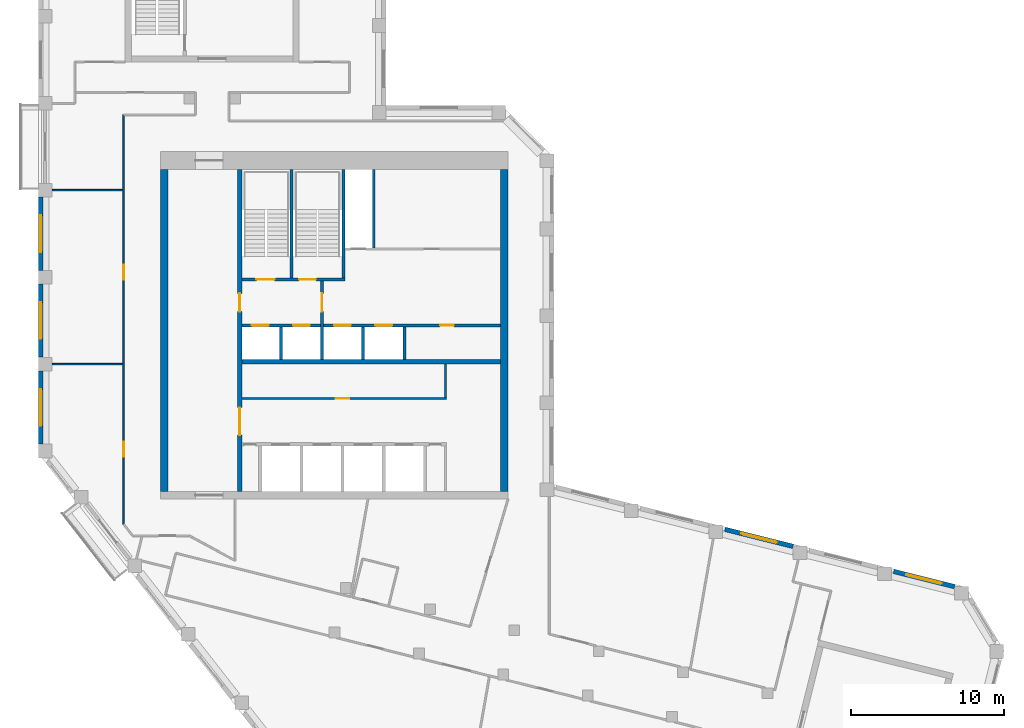
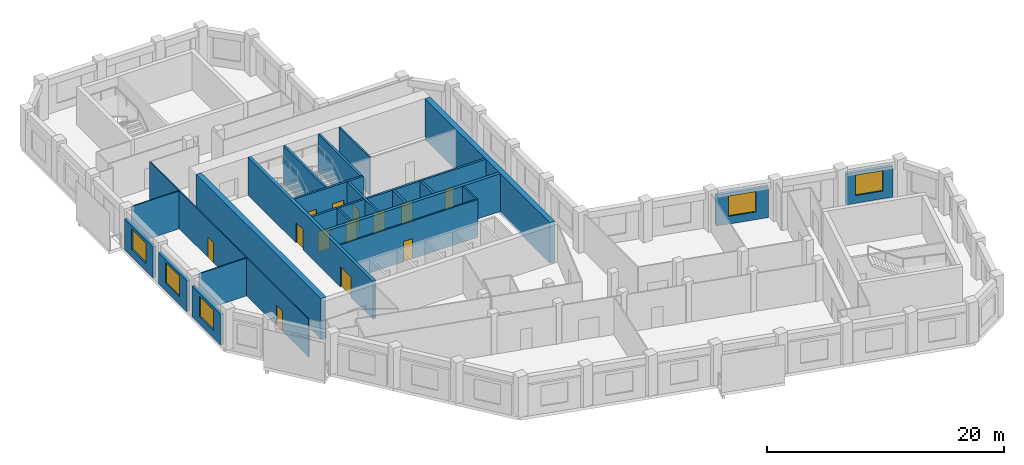
# One storey, part 5 of 8: 23 walls, 13 doors, 5 windows, 18 openings.
"""IFC4 building model written with IfcOpenShell, lengths in metres."""

from ifc_helpers import new_model, si_unit, direction, frame, frame_2d, origin, place, context, subcontext, project, spatial, rectangle, extrude, material, layer, layer_set, type_object, element, fill, save


model = new_model("IFC4")

# Units and contexts
model_context = context("Model", 3, precision=1e-05, world=origin(), true_north=direction((0.0, 1.0)))
body_context = subcontext(model_context, "Body", "Model", "MODEL_VIEW")
ifc_project = project(units=[si_unit("LENGTHUNIT", "METRE"), si_unit("AREAUNIT", "SQUARE_METRE"), si_unit("VOLUMEUNIT", "CUBIC_METRE"), si_unit("PLANEANGLEUNIT", "RADIAN"), si_unit("MASSUNIT", "GRAM", prefix="KILO")], contexts=[model_context])

# Site, building, storey
site_placement = place(None, origin())
site = spatial("IfcSite", under=ifc_project, at=site_placement, CompositionType="ELEMENT")
building_placement = place(site_placement, origin())
building = spatial("IfcBuilding", under=site, at=building_placement, Name="Meshkara Civic Tower", CompositionType="ELEMENT")
storey_placement = place(building_placement, frame((0.0, 0.0, 379.199951171875)))
storey = spatial("IfcBuildingStorey", under=building, at=storey_placement, Name="L87", CompositionType="ELEMENT", Elevation=379.199951171875)

# Wall, opening, door
ifc_material_1 = material(Name="Blockwork", Category="masonry")
ifc_layer_1 = layer(ifc_material_1, 0.14990234375)
ifc_layer_set_1 = layer_set([ifc_layer_1], Name="Core partition 150")
wall_type_1 = type_object("IfcWallType", Name="Core partition 150", PredefinedType="PARTITIONING", material=ifc_layer_set_1)
wall_1_placement = place(storey_placement, frame((13.35009765625, 20.699951171875, 0.0), z_axis=(0.0, 0.0, 1.0), x_axis=(1.0, 0.0, 0.0)))
wall_1 = element("IfcWall", 1, at=wall_1_placement, inside=storey, type_object=wall_type_1, Name="L87-C006", PredefinedType="PARTITIONING", context=body_context, shape_type="SweptSolid", body=[
    extrude(rectangle(XDim=13.4248046875, YDim=0.14990234375, at=frame_2d((6.71240234375, 0.0))), origin(), (0.0, 0.0, 1.0), 3.900146484375),
])
opening_1_placement = place(wall_1_placement, frame((6.14990234375, 0.0, 0.0)))
opening_1 = element("IfcOpeningElement", 2, at=opening_1_placement, cuts=wall_1, Name="Opening L87-K011", PredefinedType="OPENING", context=body_context, shape_type="SweptSolid", body=[
    extrude(rectangle(XDim=0.89990234375, YDim=2.10009765625, at=frame_2d((0.449951171875, 1.050048828125))), frame((0.0, 0.0849609375, 0.0), z_axis=(0.0, -1.0, 0.0), x_axis=(1.0, 0.0, 0.0)), (0.0, 0.0, 1.0), 0.169921875),
])
ifc_material_2 = material(Name="Timber door leaf in steel frame", Category="steel")
door_type_1 = type_object("IfcDoorType", Name="Core room door 900", OperationType="SINGLE_SWING_LEFT", PredefinedType="DOOR", material=ifc_material_2)
door_1_placement = place(opening_1_placement, origin())
door_1 = element("IfcDoor", 3, at=door_1_placement, inside=storey, type_object=door_type_1, Name="L87-K011", OperationType="SINGLE_SWING_RIGHT", OverallHeight=2.10009765625, OverallWidth=0.89990234375, PredefinedType="DOOR", context=body_context, shape_type="SweptSolid", body=[
    extrude(rectangle(XDim=0.89990234375, YDim=2.10009765625, at=frame_2d((0.449951171875, 1.050048828125))), frame((0.0, 0.02490234375, 0.0), z_axis=(0.0, -1.0, 0.0), x_axis=(1.0, 0.0, 0.0)), (0.0, 0.0, 1.0), 0.050048828125),
])
fill(opening_1, door_1)

# Walls
wall_2_placement = place(storey_placement, frame((22.0, 30.574951171875, 0.0), z_axis=(0.0, 0.0, 1.0), x_axis=(0.0, 1.0, 0.0)))
element("IfcWall", 4, at=wall_2_placement, inside=storey, type_object=wall_type_1, Name="L87-C020", PredefinedType="PARTITIONING", context=body_context, shape_type="SweptSolid", body=[
    extrude(rectangle(XDim=5.125, YDim=0.14990234375, at=frame_2d((2.5625, 0.0))), origin(), (0.0, 0.0, 1.0), 3.900146484375),
])
wall_3_placement = place(storey_placement, frame((26.699951171875, 20.77490234375, 0.0), z_axis=(0.0, 0.0, 1.0), x_axis=(0.0, 1.0, 0.0)))
element("IfcWall", 5, at=wall_3_placement, inside=storey, type_object=wall_type_1, Name="L87-C025", PredefinedType="PARTITIONING", context=body_context, shape_type="SweptSolid", body=[
    extrude(rectangle(XDim=2.175048828125, YDim=0.14990234375, at=frame_2d((1.08740234375, 0.0))), origin(), (0.0, 0.0, 1.0), 3.900146484375),
])
ifc_material_3 = material(Name="Concrete C50", Category="concrete")
ifc_layer_2 = layer(ifc_material_3, 0.5)
ifc_layer_set_2 = layer_set([ifc_layer_2], Name="Core ring wall 500 C50")
wall_type_2 = type_object("IfcWallType", Name="Core ring wall 500 C50", PredefinedType="SHEAR", material=ifc_layer_set_2)
for number, where, z_axis, x_axis, name in (
    (6, (8.25, 14.60009765625, -0.300048828125), (0.0, 0.0, 1.0), (0.0, 1.0, 0.0), "L87-C003"),
    (7, (30.550048828125, 14.60009765625, -0.300048828125), (0.0, 0.0, 1.0), (0.0, 1.0, 0.0), "L87-C004"),
):
    element("IfcWall", number, at=place(storey_placement, frame(where, z_axis=z_axis, x_axis=x_axis)), inside=storey, type_object=wall_type_2, Name=name, PredefinedType="SHEAR", context=body_context, shape_type="SweptSolid", body=[
        extrude(rectangle(XDim=21.099853515625, YDim=0.5, at=frame_2d((10.5498046875, 0.0))), origin(), (0.0, 0.0, 1.0), 4.2001953125),
    ])
ifc_material_4 = material(Name="Concrete C50", Category="concrete")
ifc_layer_3 = layer(ifc_material_4, 0.300048828125)
ifc_layer_set_3 = layer_set([ifc_layer_3], Name="Core shear wall 300 C50")
wall_type_3 = type_object("IfcWallType", Name="Core shear wall 300 C50", PredefinedType="SHEAR", material=ifc_layer_set_3)
wall_4_placement = place(storey_placement, frame((13.35009765625, 23.10009765625, 0.0), z_axis=(0.0, 0.0, 1.0), x_axis=(1.0, 0.0, 0.0)))
element("IfcWall", 8, at=wall_4_placement, inside=storey, type_object=wall_type_3, Name="L87-C007", PredefinedType="SHEAR", context=body_context, shape_type="SweptSolid", body=[
    extrude(rectangle(XDim=16.949951171875, YDim=0.300048828125, at=frame_2d((8.47509765625, 0.0))), origin(), (0.0, 0.0, 1.0), 3.900146484375),
])

# Wall, openings, doors
wall_5_placement = place(storey_placement, frame((13.199951171875, 14.60009765625, 0.0), z_axis=(0.0, 0.0, 1.0), x_axis=(0.0, 1.0, 0.0)))
wall_5 = element("IfcWall", 9, at=wall_5_placement, inside=storey, type_object=wall_type_3, Name="L87-C011", PredefinedType="SHEAR", context=body_context, shape_type="SweptSolid", body=[
    extrude(rectangle(XDim=21.099853515625, YDim=0.300048828125, at=frame_2d((10.5498046875, 0.0))), origin(), (0.0, 0.0, 1.0), 3.900146484375),
])
opening_2_placement = place(wall_5_placement, frame((3.699951171875, 0.0, 0.0)))
opening_2 = element("IfcOpeningElement", 10, at=opening_2_placement, cuts=wall_5, Name="Opening L87-K017", PredefinedType="OPENING", context=body_context, shape_type="SweptSolid", body=[
    extrude(rectangle(XDim=1.800048828125, YDim=2.10009765625, at=frame_2d((0.89990234375, 1.050048828125))), frame((0.0, 0.159912109375, 0.0), z_axis=(0.0, -1.0, 0.0), x_axis=(1.0, 0.0, 0.0)), (0.0, 0.0, 1.0), 0.320068359375),
])
opening_3_placement = place(wall_5_placement, frame((11.800048828125, 0.0, 0.0)))
opening_3 = element("IfcOpeningElement", 11, at=opening_3_placement, cuts=wall_5, Name="Opening L87-K018", PredefinedType="OPENING", context=body_context, shape_type="SweptSolid", body=[
    extrude(rectangle(XDim=1.199951171875, YDim=2.10009765625, at=frame_2d((0.60009765625, 1.050048828125))), frame((0.0, 0.159912109375, 0.0), z_axis=(0.0, -1.0, 0.0), x_axis=(1.0, 0.0, 0.0)), (0.0, 0.0, 1.0), 0.320068359375),
])
ifc_material_5 = material(Name="Fire-rated door leaf in steel frame", Category="steel")
door_type_2 = type_object("IfcDoorType", Name="Core double door 1800 EI 60", OperationType="DOUBLE_DOOR_SINGLE_SWING", PredefinedType="DOOR", material=ifc_material_5)
door_2_placement = place(opening_2_placement, origin())
door_2 = element("IfcDoor", 12, at=door_2_placement, inside=storey, type_object=door_type_2, Name="L87-K017", OperationType="DOUBLE_DOOR_SINGLE_SWING", OverallHeight=2.10009765625, OverallWidth=1.800048828125, PredefinedType="DOOR", context=body_context, shape_type="SweptSolid", body=[
    extrude(rectangle(XDim=1.800048828125, YDim=2.10009765625, at=frame_2d((0.89990234375, 1.050048828125))), frame((0.0, 0.02490234375, 0.0), z_axis=(0.0, -1.0, 0.0), x_axis=(1.0, 0.0, 0.0)), (0.0, 0.0, 1.0), 0.050048828125),
])
fill(opening_2, door_2)
ifc_material_6 = material(Name="Fire-rated door leaf in steel frame", Category="steel")
door_type_3 = type_object("IfcDoorType", Name="Fire-fighting lobby door 1200 EI 120", OperationType="SINGLE_SWING_LEFT", PredefinedType="DOOR", material=ifc_material_6)
door_3_placement = place(opening_3_placement, origin())
door_3 = element("IfcDoor", 13, at=door_3_placement, inside=storey, type_object=door_type_3, Name="L87-K018", OperationType="SINGLE_SWING_LEFT", OverallHeight=2.10009765625, OverallWidth=1.199951171875, PredefinedType="DOOR", context=body_context, shape_type="SweptSolid", body=[
    extrude(rectangle(XDim=1.199951171875, YDim=2.10009765625, at=frame_2d((0.60009765625, 1.050048828125))), frame((0.0, 0.02490234375, 0.0), z_axis=(0.0, -1.0, 0.0), x_axis=(1.0, 0.0, 0.0)), (0.0, 0.0, 1.0), 0.050048828125),
])
fill(opening_3, door_3)

ifc_material_7 = material(Name="Corridor wall 100")
ifc_layer_4 = layer(ifc_material_7, 0.10009765625)
ifc_layer_set_4 = layer_set([ifc_layer_4], Name="Corridor wall 100")
wall_type_4 = type_object("IfcWallType", Name="Corridor wall 100", PredefinedType="PARTITIONING", material=ifc_layer_set_4)
wall_6_placement = place(storey_placement, frame((5.60009765625, 39.300048828125, 0.0), z_axis=(0.0, 0.0, 1.0), x_axis=(0.0, -1.0, 0.0)))
wall_6 = element("IfcWall", 14, at=wall_6_placement, inside=storey, type_object=wall_type_4, Name="L87-W004", PredefinedType="PARTITIONING", context=body_context, shape_type="SweptSolid", body=[
    extrude(rectangle(XDim=26.85009765625, YDim=0.10009765625, at=frame_2d((13.425048828125, 0.0))), origin(), (0.0, 0.0, 1.0), 3.900146484375),
])
opening_4_placement = place(wall_6_placement, frame((21.425048828125, 0.0, 0.0)))
opening_4 = element("IfcOpeningElement", 15, at=opening_4_placement, cuts=wall_6, Name="Opening L87-D012", PredefinedType="OPENING", context=body_context, shape_type="SweptSolid", body=[
    extrude(rectangle(XDim=1.0, YDim=2.10009765625, at=frame_2d((0.5, 1.050048828125))), frame((0.0, 0.06005859375, 0.0), z_axis=(0.0, -1.0, 0.0), x_axis=(1.0, 0.0, 0.0)), (0.0, 0.0, 1.0), 0.1201171875),
])
opening_5_placement = place(wall_6_placement, frame((9.824951171875, 0.0, 0.0)))
opening_5 = element("IfcOpeningElement", 16, at=opening_5_placement, cuts=wall_6, Name="Opening L87-D013", PredefinedType="OPENING", context=body_context, shape_type="SweptSolid", body=[
    extrude(rectangle(XDim=1.0, YDim=2.10009765625, at=frame_2d((0.5, 1.050048828125))), frame((0.0, 0.06005859375, 0.0), z_axis=(0.0, -1.0, 0.0), x_axis=(1.0, 0.0, 0.0)), (0.0, 0.0, 1.0), 0.1201171875),
])
ifc_material_8 = material(Name="Door 1000 x 2100")
door_type_4 = type_object("IfcDoorType", Name="Door 1000 x 2100", OperationType="SINGLE_SWING_LEFT", PredefinedType="DOOR", material=ifc_material_8)
door_4_placement = place(opening_4_placement, origin())
door_4 = element("IfcDoor", 17, at=door_4_placement, inside=storey, type_object=door_type_4, Name="L87-D012", OperationType="SINGLE_SWING_LEFT", OverallHeight=2.10009765625, OverallWidth=1.0, PredefinedType="DOOR", context=body_context, shape_type="SweptSolid", body=[
    extrude(rectangle(XDim=1.0, YDim=2.10009765625, at=frame_2d((0.5, 1.050048828125))), frame((0.0, 0.02490234375, 0.0), z_axis=(0.0, -1.0, 0.0), x_axis=(1.0, 0.0, 0.0)), (0.0, 0.0, 1.0), 0.050048828125),
])
fill(opening_4, door_4)
door_5_placement = place(opening_5_placement, origin())
door_5 = element("IfcDoor", 18, at=door_5_placement, inside=storey, type_object=door_type_4, Name="L87-D013", OperationType="SINGLE_SWING_RIGHT", OverallHeight=2.10009765625, OverallWidth=1.0, PredefinedType="DOOR", context=body_context, shape_type="SweptSolid", body=[
    extrude(rectangle(XDim=1.0, YDim=2.10009765625, at=frame_2d((0.5, 1.050048828125))), frame((0.0, 0.02490234375, 0.0), z_axis=(0.0, -1.0, 0.0), x_axis=(1.0, 0.0, 0.0)), (0.0, 0.0, 1.0), 0.050048828125),
])
fill(opening_5, door_5)

# Wall, opening, window
ifc_material_9 = material(Name="Insulated infill panel with bronze anodised aluminium cladding", Category="aluminium")
ifc_layer_5 = layer(ifc_material_9, 0.300048828125)
ifc_layer_set_5 = layer_set([ifc_layer_5], Name="EXTERNAL INFILL WALL 300")
wall_type_5 = type_object("IfcWallType", Name="EXTERNAL INFILL WALL 300", PredefinedType="SOLIDWALL", material=ifc_layer_set_5)
wall_7_placement = place(storey_placement, frame((60.075927734375, 8.364990234375, 0.0), z_axis=(0.0, 0.0, 1.0), x_axis=(-0.970323340708, 0.24181111322, 0.0)))
wall_7 = element("IfcWall", 19, at=wall_7_placement, inside=storey, type_object=wall_type_5, Name="External wall", PredefinedType="SOLIDWALL", context=body_context, shape_type="SweptSolid", body=[
    extrude(rectangle(XDim=4.123291015625, YDim=0.300048828125, at=frame_2d((2.0615234375, 0.0))), origin(), (0.0, 0.0, 1.0), 3.199951171875),
])
opening_6_placement = place(wall_7_placement, frame((0.862060546875, 0.0, 0.800048828125)))
opening_6 = element("IfcOpeningElement", 20, at=opening_6_placement, cuts=wall_7, Name="Opening W7", PredefinedType="OPENING", context=body_context, shape_type="SweptSolid", body=[
    extrude(rectangle(XDim=2.39990234375, YDim=2.10009765625, at=frame_2d((1.199951171875, 1.050048828125))), frame((0.0, 0.159912109375, 0.0), z_axis=(0.0, -1.0, 0.0), x_axis=(1.0, 0.0, 0.0)), (0.0, 0.0, 1.0), 0.320068359375),
])
ifc_material_10 = material(Name="Tinted double glazing", Category="glass")
window_type = type_object("IfcWindowType", Name="WINDOW 2400x2100", PartitioningType="DOUBLE_PANEL_VERTICAL", PredefinedType="WINDOW", material=ifc_material_10)
window_1_placement = place(opening_6_placement, origin())
window_1 = element("IfcWindow", 21, at=window_1_placement, inside=storey, type_object=window_type, Name="Window", OverallHeight=2.10009765625, OverallWidth=2.39990234375, PartitioningType="DOUBLE_PANEL_VERTICAL", PredefinedType="WINDOW", context=body_context, shape_type="SweptSolid", body=[
    extrude(rectangle(XDim=2.39990234375, YDim=2.10009765625, at=frame_2d((1.199951171875, 1.050048828125))), frame((0.0, 0.030029296875, 0.0), z_axis=(0.0, -1.0, 0.0), x_axis=(1.0, 0.0, 0.0)), (0.0, 0.0, 1.0), 0.06005859375),
])
fill(opening_6, window_1)

wall_8_placement = place(storey_placement, frame((49.485107421875, 11.0048828125, 0.0), z_axis=(0.0, 0.0, 1.0), x_axis=(-0.970235897967, 0.242161727563, 0.0)))
wall_8 = element("IfcWall", 22, at=wall_8_placement, inside=storey, type_object=wall_type_5, Name="External wall", PredefinedType="SOLIDWALL", context=body_context, shape_type="SweptSolid", body=[
    extrude(rectangle(XDim=4.609375, YDim=0.300048828125, at=frame_2d((2.3046875, 0.0))), origin(), (0.0, 0.0, 1.0), 3.199951171875),
])
opening_7_placement = place(wall_8_placement, frame((1.10498046875, 0.0, 0.800048828125)))
opening_7 = element("IfcOpeningElement", 23, at=opening_7_placement, cuts=wall_8, Name="Opening W7", PredefinedType="OPENING", context=body_context, shape_type="SweptSolid", body=[
    extrude(rectangle(XDim=2.39990234375, YDim=2.10009765625, at=frame_2d((1.199951171875, 1.050048828125))), frame((0.0, 0.159912109375, 0.0), z_axis=(0.0, -1.0, 0.0), x_axis=(1.0, 0.0, 0.0)), (0.0, 0.0, 1.0), 0.320068359375),
])
window_2_placement = place(opening_7_placement, origin())
window_2 = element("IfcWindow", 24, at=window_2_placement, inside=storey, type_object=window_type, Name="Window", OverallHeight=2.10009765625, OverallWidth=2.39990234375, PartitioningType="DOUBLE_PANEL_VERTICAL", PredefinedType="WINDOW", context=body_context, shape_type="SweptSolid", body=[
    extrude(rectangle(XDim=2.39990234375, YDim=2.10009765625, at=frame_2d((1.199951171875, 1.050048828125))), frame((0.0, 0.030029296875, 0.0), z_axis=(0.0, -1.0, 0.0), x_axis=(1.0, 0.0, 0.0)), (0.0, 0.0, 1.0), 0.06005859375),
])
fill(opening_7, window_2)

wall_9_placement = place(storey_placement, frame((0.14990234375, 33.905029296875, 0.0), z_axis=(0.0, 0.0, 1.0), x_axis=(0.0, -1.0, 0.0)))
wall_9 = element("IfcWall", 25, at=wall_9_placement, inside=storey, type_object=wall_type_5, Name="External wall", PredefinedType="SOLIDWALL", context=body_context, shape_type="SweptSolid", body=[
    extrude(rectangle(XDim=4.800048828125, YDim=0.300048828125, at=frame_2d((2.39990234375, 0.0))), origin(), (0.0, 0.0, 1.0), 3.199951171875),
])
opening_8_placement = place(wall_9_placement, frame((1.199951171875, 0.0, 0.800048828125)))
opening_8 = element("IfcOpeningElement", 26, at=opening_8_placement, cuts=wall_9, Name="Opening W7", PredefinedType="OPENING", context=body_context, shape_type="SweptSolid", body=[
    extrude(rectangle(XDim=2.39990234375, YDim=2.10009765625, at=frame_2d((1.199951171875, 1.050048828125))), frame((0.0, 0.159912109375, 0.0), z_axis=(0.0, -1.0, 0.0), x_axis=(1.0, 0.0, 0.0)), (0.0, 0.0, 1.0), 0.320068359375),
])
window_3_placement = place(opening_8_placement, origin())
window_3 = element("IfcWindow", 27, at=window_3_placement, inside=storey, type_object=window_type, Name="Window", OverallHeight=2.10009765625, OverallWidth=2.39990234375, PartitioningType="DOUBLE_PANEL_VERTICAL", PredefinedType="WINDOW", context=body_context, shape_type="SweptSolid", body=[
    extrude(rectangle(XDim=2.39990234375, YDim=2.10009765625, at=frame_2d((1.199951171875, 1.050048828125))), frame((0.0, 0.030029296875, 0.0), z_axis=(0.0, -1.0, 0.0), x_axis=(1.0, 0.0, 0.0)), (0.0, 0.0, 1.0), 0.06005859375),
])
fill(opening_8, window_3)

wall_10_placement = place(storey_placement, frame((0.14990234375, 28.205078125, 0.0), z_axis=(0.0, 0.0, 1.0), x_axis=(0.0, -1.0, 0.0)))
wall_10 = element("IfcWall", 28, at=wall_10_placement, inside=storey, type_object=wall_type_5, Name="External wall", PredefinedType="SOLIDWALL", context=body_context, shape_type="SweptSolid", body=[
    extrude(rectangle(XDim=4.800048828125, YDim=0.300048828125, at=frame_2d((2.39990234375, 0.0))), origin(), (0.0, 0.0, 1.0), 3.199951171875),
])
opening_9_placement = place(wall_10_placement, frame((1.199951171875, 0.0, 0.800048828125)))
opening_9 = element("IfcOpeningElement", 29, at=opening_9_placement, cuts=wall_10, Name="Opening W7", PredefinedType="OPENING", context=body_context, shape_type="SweptSolid", body=[
    extrude(rectangle(XDim=2.39990234375, YDim=2.10009765625, at=frame_2d((1.199951171875, 1.050048828125))), frame((0.0, 0.159912109375, 0.0), z_axis=(0.0, -1.0, 0.0), x_axis=(1.0, 0.0, 0.0)), (0.0, 0.0, 1.0), 0.320068359375),
])
window_4_placement = place(opening_9_placement, origin())
window_4 = element("IfcWindow", 30, at=window_4_placement, inside=storey, type_object=window_type, Name="Window", OverallHeight=2.10009765625, OverallWidth=2.39990234375, PartitioningType="DOUBLE_PANEL_VERTICAL", PredefinedType="WINDOW", context=body_context, shape_type="SweptSolid", body=[
    extrude(rectangle(XDim=2.39990234375, YDim=2.10009765625, at=frame_2d((1.199951171875, 1.050048828125))), frame((0.0, 0.030029296875, 0.0), z_axis=(0.0, -1.0, 0.0), x_axis=(1.0, 0.0, 0.0)), (0.0, 0.0, 1.0), 0.06005859375),
])
fill(opening_9, window_4)

wall_11_placement = place(storey_placement, frame((0.14990234375, 22.5048828125, 0.0), z_axis=(0.0, 0.0, 1.0), x_axis=(0.0, -1.0, 0.0)))
wall_11 = element("IfcWall", 31, at=wall_11_placement, inside=storey, type_object=wall_type_5, Name="External wall", PredefinedType="SOLIDWALL", context=body_context, shape_type="SweptSolid", body=[
    extrude(rectangle(XDim=4.7998046875, YDim=0.300048828125, at=frame_2d((2.39990234375, 0.0))), origin(), (0.0, 0.0, 1.0), 3.199951171875),
])
opening_10_placement = place(wall_11_placement, frame((1.199951171875, 0.0, 0.800048828125)))
opening_10 = element("IfcOpeningElement", 32, at=opening_10_placement, cuts=wall_11, Name="Opening W7", PredefinedType="OPENING", context=body_context, shape_type="SweptSolid", body=[
    extrude(rectangle(XDim=2.39990234375, YDim=2.10009765625, at=frame_2d((1.199951171875, 1.050048828125))), frame((0.0, 0.159912109375, 0.0), z_axis=(0.0, -1.0, 0.0), x_axis=(1.0, 0.0, 0.0)), (0.0, 0.0, 1.0), 0.320068359375),
])
window_5_placement = place(opening_10_placement, origin())
window_5 = element("IfcWindow", 33, at=window_5_placement, inside=storey, type_object=window_type, Name="Window", OverallHeight=2.10009765625, OverallWidth=2.39990234375, PartitioningType="DOUBLE_PANEL_VERTICAL", PredefinedType="WINDOW", context=body_context, shape_type="SweptSolid", body=[
    extrude(rectangle(XDim=2.39990234375, YDim=2.10009765625, at=frame_2d((1.199951171875, 1.050048828125))), frame((0.0, 0.030029296875, 0.0), z_axis=(0.0, -1.0, 0.0), x_axis=(1.0, 0.0, 0.0)), (0.0, 0.0, 1.0), 0.06005859375),
])
fill(opening_10, window_5)

# Walls
ifc_material_11 = material(Name="Partition 100")
ifc_layer_6 = layer(ifc_material_11, 0.10009765625)
ifc_layer_set_6 = layer_set([ifc_layer_6], Name="Partition 100")
wall_type_6 = type_object("IfcWallType", Name="Partition 100", PredefinedType="PARTITIONING", material=ifc_layer_set_6)
for number, where, z_axis, x_axis, name in (
    (34, (5.550048828125, 22.955078125, 0.0), (0.0, 0.0, 1.0), (-1.0, 0.0, 0.0), "L87-W038"),
    (35, (5.550048828125, 34.35498046875, 0.0), (0.0, 0.0, 1.0), (-1.0, 0.0, 0.0), "L87-W039"),
):
    element("IfcWall", number, at=place(storey_placement, frame(where, z_axis=z_axis, x_axis=x_axis)), inside=storey, type_object=wall_type_6, Name=name, PredefinedType="PARTITIONING", context=body_context, shape_type="SweptSolid", body=[
        extrude(rectangle(XDim=4.650146484375, YDim=0.10009765625, at=frame_2d((2.3251953125, 0.0))), origin(), (0.0, 0.0, 1.0), 3.900146484375),
    ])

# Wall, openings, doors
ifc_material_12 = material(Name="Concrete C40/50", Category="concrete")
ifc_layer_7 = layer(ifc_material_12, 0.199951171875)
ifc_layer_set_7 = layer_set([ifc_layer_7], Name="Shaft wall 200 C40/50")
wall_type_7 = type_object("IfcWallType", Name="Shaft wall 200 C40/50", PredefinedType="SOLIDWALL", material=ifc_layer_set_7)
wall_12_placement = place(storey_placement, frame((13.35009765625, 25.5, 0.0), z_axis=(0.0, 0.0, 1.0), x_axis=(1.0, 0.0, 0.0)))
wall_12 = element("IfcWall", 36, at=wall_12_placement, inside=storey, type_object=wall_type_7, Name="L87-C008", PredefinedType="SOLIDWALL", context=body_context, shape_type="SweptSolid", body=[
    extrude(rectangle(XDim=16.949951171875, YDim=0.199951171875, at=frame_2d((8.47509765625, 0.0))), origin(), (0.0, 0.0, 1.0), 3.900146484375),
])
opening_11_placement = place(wall_12_placement, frame((0.64990234375, 0.0, 0.0)))
opening_11 = element("IfcOpeningElement", 37, at=opening_11_placement, cuts=wall_12, Name="Opening L87-K005", PredefinedType="OPENING", context=body_context, shape_type="SweptSolid", body=[
    extrude(rectangle(XDim=1.10009765625, YDim=2.10009765625, at=frame_2d((0.550048828125, 1.050048828125))), frame((0.0, 0.10986328125, 0.0), z_axis=(0.0, -1.0, 0.0), x_axis=(1.0, 0.0, 0.0)), (0.0, 0.0, 1.0), 0.219970703125),
])
opening_12_placement = place(wall_12_placement, frame((3.35009765625, 0.0, 0.0)))
opening_12 = element("IfcOpeningElement", 38, at=opening_12_placement, cuts=wall_12, Name="Opening L87-K006", PredefinedType="OPENING", context=body_context, shape_type="SweptSolid", body=[
    extrude(rectangle(XDim=1.10009765625, YDim=2.10009765625, at=frame_2d((0.550048828125, 1.050048828125))), frame((0.0, 0.10986328125, 0.0), z_axis=(0.0, -1.0, 0.0), x_axis=(1.0, 0.0, 0.0)), (0.0, 0.0, 1.0), 0.219970703125),
])
opening_13_placement = place(wall_12_placement, frame((6.050048828125, 0.0, 0.0)))
opening_13 = element("IfcOpeningElement", 39, at=opening_13_placement, cuts=wall_12, Name="Opening L87-K007", PredefinedType="OPENING", context=body_context, shape_type="SweptSolid", body=[
    extrude(rectangle(XDim=1.10009765625, YDim=2.10009765625, at=frame_2d((0.550048828125, 1.050048828125))), frame((0.0, 0.10986328125, 0.0), z_axis=(0.0, -1.0, 0.0), x_axis=(1.0, 0.0, 0.0)), (0.0, 0.0, 1.0), 0.219970703125),
])
opening_14_placement = place(wall_12_placement, frame((8.75, 0.0, 0.0)))
opening_14 = element("IfcOpeningElement", 40, at=opening_14_placement, cuts=wall_12, Name="Opening L87-K008", PredefinedType="OPENING", context=body_context, shape_type="SweptSolid", body=[
    extrude(rectangle(XDim=1.10009765625, YDim=2.10009765625, at=frame_2d((0.550048828125, 1.050048828125))), frame((0.0, 0.10986328125, 0.0), z_axis=(0.0, -1.0, 0.0), x_axis=(1.0, 0.0, 0.0)), (0.0, 0.0, 1.0), 0.219970703125),
])
opening_15_placement = place(wall_12_placement, frame((13.0, 0.0, 0.0)))
opening_15 = element("IfcOpeningElement", 41, at=opening_15_placement, cuts=wall_12, Name="Opening L87-K012", PredefinedType="OPENING", context=body_context, shape_type="SweptSolid", body=[
    extrude(rectangle(XDim=0.89990234375, YDim=2.10009765625, at=frame_2d((0.449951171875, 1.050048828125))), frame((0.0, 0.10986328125, 0.0), z_axis=(0.0, -1.0, 0.0), x_axis=(1.0, 0.0, 0.0)), (0.0, 0.0, 1.0), 0.219970703125),
])
door_6_placement = place(opening_15_placement, origin())
door_6 = element("IfcDoor", 42, at=door_6_placement, inside=storey, type_object=door_type_1, Name="L87-K012", OperationType="SINGLE_SWING_LEFT", OverallHeight=2.10009765625, OverallWidth=0.89990234375, PredefinedType="DOOR", context=body_context, shape_type="SweptSolid", body=[
    extrude(rectangle(XDim=0.89990234375, YDim=2.10009765625, at=frame_2d((0.449951171875, 1.050048828125))), frame((0.0, 0.02490234375, 0.0), z_axis=(0.0, -1.0, 0.0), x_axis=(1.0, 0.0, 0.0)), (0.0, 0.0, 1.0), 0.050048828125),
])
fill(opening_15, door_6)
ifc_material_13 = material(Name="Stainless steel landing door", Category="steel")
door_type_5 = type_object("IfcDoorType", Name="Lift landing door 1100", OperationType="SLIDING_TO_LEFT", PredefinedType="DOOR", material=ifc_material_13)
door_7_placement = place(opening_11_placement, origin())
door_7 = element("IfcDoor", 43, at=door_7_placement, inside=storey, type_object=door_type_5, Name="L87-K005", OperationType="SLIDING_TO_LEFT", OverallHeight=2.10009765625, OverallWidth=1.10009765625, PredefinedType="DOOR", context=body_context, shape_type="SweptSolid", body=[
    extrude(rectangle(XDim=1.10009765625, YDim=2.10009765625, at=frame_2d((0.550048828125, 1.050048828125))), frame((0.0, 0.02490234375, 0.0), z_axis=(0.0, -1.0, 0.0), x_axis=(1.0, 0.0, 0.0)), (0.0, 0.0, 1.0), 0.050048828125),
])
fill(opening_11, door_7)
door_8_placement = place(opening_12_placement, origin())
door_8 = element("IfcDoor", 44, at=door_8_placement, inside=storey, type_object=door_type_5, Name="L87-K006", OperationType="SLIDING_TO_LEFT", OverallHeight=2.10009765625, OverallWidth=1.10009765625, PredefinedType="DOOR", context=body_context, shape_type="SweptSolid", body=[
    extrude(rectangle(XDim=1.10009765625, YDim=2.10009765625, at=frame_2d((0.550048828125, 1.050048828125))), frame((0.0, 0.02490234375, 0.0), z_axis=(0.0, -1.0, 0.0), x_axis=(1.0, 0.0, 0.0)), (0.0, 0.0, 1.0), 0.050048828125),
])
fill(opening_12, door_8)
door_9_placement = place(opening_13_placement, origin())
door_9 = element("IfcDoor", 45, at=door_9_placement, inside=storey, type_object=door_type_5, Name="L87-K007", OperationType="SLIDING_TO_LEFT", OverallHeight=2.10009765625, OverallWidth=1.10009765625, PredefinedType="DOOR", context=body_context, shape_type="SweptSolid", body=[
    extrude(rectangle(XDim=1.10009765625, YDim=2.10009765625, at=frame_2d((0.550048828125, 1.050048828125))), frame((0.0, 0.02490234375, 0.0), z_axis=(0.0, -1.0, 0.0), x_axis=(1.0, 0.0, 0.0)), (0.0, 0.0, 1.0), 0.050048828125),
])
fill(opening_13, door_9)
door_10_placement = place(opening_14_placement, origin())
door_10 = element("IfcDoor", 46, at=door_10_placement, inside=storey, type_object=door_type_5, Name="L87-K008", OperationType="SLIDING_TO_LEFT", OverallHeight=2.10009765625, OverallWidth=1.10009765625, PredefinedType="DOOR", context=body_context, shape_type="SweptSolid", body=[
    extrude(rectangle(XDim=1.10009765625, YDim=2.10009765625, at=frame_2d((0.550048828125, 1.050048828125))), frame((0.0, 0.02490234375, 0.0), z_axis=(0.0, -1.0, 0.0), x_axis=(1.0, 0.0, 0.0)), (0.0, 0.0, 1.0), 0.050048828125),
])
fill(opening_14, door_10)

# Wall
wall_13_placement = place(storey_placement, frame((15.89990234375, 23.25, 0.0), z_axis=(0.0, 0.0, 1.0), x_axis=(0.0, 1.0, 0.0)))
element("IfcWall", 47, at=wall_13_placement, inside=storey, type_object=wall_type_7, Name="L87-C013", PredefinedType="SOLIDWALL", context=body_context, shape_type="SweptSolid", body=[
    extrude(rectangle(XDim=2.14990234375, YDim=0.199951171875, at=frame_2d((1.074951171875, 0.0))), origin(), (0.0, 0.0, 1.0), 3.900146484375),
])

# Wall, opening, door
wall_14_placement = place(storey_placement, frame((18.60009765625, 23.25, 0.0), z_axis=(0.0, 0.0, 1.0), x_axis=(0.0, 1.0, 0.0)))
wall_14 = element("IfcWall", 48, at=wall_14_placement, inside=storey, type_object=wall_type_7, Name="L87-C016", PredefinedType="SOLIDWALL", context=body_context, shape_type="SweptSolid", body=[
    extrude(rectangle(XDim=5.14990234375, YDim=0.199951171875, at=frame_2d((2.574951171875, 0.0))), origin(), (0.0, 0.0, 1.0), 3.900146484375),
])
opening_16_placement = place(wall_14_placement, frame((3.14990234375, 0.0, 0.0)))
opening_16 = element("IfcOpeningElement", 49, at=opening_16_placement, cuts=wall_14, Name="Opening L87-K019", PredefinedType="OPENING", context=body_context, shape_type="SweptSolid", body=[
    extrude(rectangle(XDim=1.199951171875, YDim=2.10009765625, at=frame_2d((0.60009765625, 1.050048828125))), frame((0.0, 0.10986328125, 0.0), z_axis=(0.0, -1.0, 0.0), x_axis=(1.0, 0.0, 0.0)), (0.0, 0.0, 1.0), 0.219970703125),
])
door_11_placement = place(opening_16_placement, origin())
door_11 = element("IfcDoor", 50, at=door_11_placement, inside=storey, type_object=door_type_3, Name="L87-K019", OperationType="SINGLE_SWING_RIGHT", OverallHeight=2.10009765625, OverallWidth=1.199951171875, PredefinedType="DOOR", context=body_context, shape_type="SweptSolid", body=[
    extrude(rectangle(XDim=1.199951171875, YDim=2.10009765625, at=frame_2d((0.60009765625, 1.050048828125))), frame((0.0, 0.02490234375, 0.0), z_axis=(0.0, -1.0, 0.0), x_axis=(1.0, 0.0, 0.0)), (0.0, 0.0, 1.0), 0.050048828125),
])
fill(opening_16, door_11)

# Walls
for number, where, z_axis, x_axis, name in (
    (51, (21.300048828125, 23.25, 0.0), (0.0, 0.0, 1.0), (0.0, 1.0, 0.0), "L87-C019"),
    (52, (24.0, 23.25, 0.0), (0.0, 0.0, 1.0), (0.0, 1.0, 0.0), "L87-C022"),
):
    element("IfcWall", number, at=place(storey_placement, frame(where, z_axis=z_axis, x_axis=x_axis)), inside=storey, type_object=wall_type_7, Name=name, PredefinedType="SOLIDWALL", context=body_context, shape_type="SweptSolid", body=[
        extrude(rectangle(XDim=2.14990234375, YDim=0.199951171875, at=frame_2d((1.074951171875, 0.0))), origin(), (0.0, 0.0, 1.0), 3.900146484375),
    ])

# Wall, openings, doors
ifc_material_14 = material(Name="Concrete C40/50", Category="concrete")
ifc_layer_8 = layer(ifc_material_14, 0.199951171875)
ifc_layer_set_8 = layer_set([ifc_layer_8], Name="Stair enclosure wall 200 C40/50")
wall_type_8 = type_object("IfcWallType", Name="Stair enclosure wall 200 C40/50", PredefinedType="SOLIDWALL", material=ifc_layer_set_8)
wall_15_placement = place(storey_placement, frame((13.35009765625, 28.5, 0.0), z_axis=(0.0, 0.0, 1.0), x_axis=(1.0, 0.0, 0.0)))
wall_15 = element("IfcWall", 53, at=wall_15_placement, inside=storey, type_object=wall_type_8, Name="L87-C009", PredefinedType="SOLIDWALL", context=body_context, shape_type="SweptSolid", body=[
    extrude(rectangle(XDim=6.75, YDim=0.199951171875, at=frame_2d((3.375, 0.0))), origin(), (0.0, 0.0, 1.0), 3.900146484375),
])
opening_17_placement = place(wall_15_placement, frame((0.949951171875, 0.0, 0.0)))
opening_17 = element("IfcOpeningElement", 54, at=opening_17_placement, cuts=wall_15, Name="Opening L87-K015", PredefinedType="OPENING", context=body_context, shape_type="SweptSolid", body=[
    extrude(rectangle(XDim=1.199951171875, YDim=2.10009765625, at=frame_2d((0.60009765625, 1.050048828125))), frame((0.0, 0.10986328125, 0.0), z_axis=(0.0, -1.0, 0.0), x_axis=(1.0, 0.0, 0.0)), (0.0, 0.0, 1.0), 0.219970703125),
])
opening_18_placement = place(wall_15_placement, frame((3.75, 0.0, 0.0)))
opening_18 = element("IfcOpeningElement", 55, at=opening_18_placement, cuts=wall_15, Name="Opening L87-K016", PredefinedType="OPENING", context=body_context, shape_type="SweptSolid", body=[
    extrude(rectangle(XDim=1.10009765625, YDim=2.10009765625, at=frame_2d((0.550048828125, 1.050048828125))), frame((0.0, 0.10986328125, 0.0), z_axis=(0.0, -1.0, 0.0), x_axis=(1.0, 0.0, 0.0)), (0.0, 0.0, 1.0), 0.219970703125),
])
ifc_material_15 = material(Name="Fire-rated door leaf in steel frame", Category="steel")
door_type_6 = type_object("IfcDoorType", Name="Stair door 1100 EI 120", OperationType="SINGLE_SWING_LEFT", PredefinedType="DOOR", material=ifc_material_15)
door_12_placement = place(opening_18_placement, origin())
door_12 = element("IfcDoor", 56, at=door_12_placement, inside=storey, type_object=door_type_6, Name="L87-K016", OperationType="SINGLE_SWING_LEFT", OverallHeight=2.10009765625, OverallWidth=1.10009765625, PredefinedType="DOOR", context=body_context, shape_type="SweptSolid", body=[
    extrude(rectangle(XDim=1.10009765625, YDim=2.10009765625, at=frame_2d((0.550048828125, 1.050048828125))), frame((0.0, 0.02490234375, 0.0), z_axis=(0.0, -1.0, 0.0), x_axis=(1.0, 0.0, 0.0)), (0.0, 0.0, 1.0), 0.050048828125),
])
fill(opening_18, door_12)
ifc_material_16 = material(Name="Fire-rated door leaf in steel frame", Category="steel")
door_type_7 = type_object("IfcDoorType", Name="Stair door 1200 EI 120", OperationType="SINGLE_SWING_LEFT", PredefinedType="DOOR", material=ifc_material_16)
door_13_placement = place(opening_17_placement, origin())
door_13 = element("IfcDoor", 57, at=door_13_placement, inside=storey, type_object=door_type_7, Name="L87-K015", OperationType="SINGLE_SWING_RIGHT", OverallHeight=2.10009765625, OverallWidth=1.199951171875, PredefinedType="DOOR", context=body_context, shape_type="SweptSolid", body=[
    extrude(rectangle(XDim=1.199951171875, YDim=2.10009765625, at=frame_2d((0.60009765625, 1.050048828125))), frame((0.0, 0.02490234375, 0.0), z_axis=(0.0, -1.0, 0.0), x_axis=(1.0, 0.0, 0.0)), (0.0, 0.0, 1.0), 0.050048828125),
])
fill(opening_17, door_13)

# Walls
for number, where, z_axis, x_axis, name in (
    (58, (16.60009765625, 28.60009765625, 0.0), (0.0, 0.0, 1.0), (0.0, 1.0, 0.0), "L87-C014"),
    (59, (20.0, 28.60009765625, 0.0), (0.0, 0.0, 1.0), (0.0, 1.0, 0.0), "L87-C018"),
):
    element("IfcWall", number, at=place(storey_placement, frame(where, z_axis=z_axis, x_axis=x_axis)), inside=storey, type_object=wall_type_8, Name=name, PredefinedType="SOLIDWALL", context=body_context, shape_type="SweptSolid", body=[
        extrude(rectangle(XDim=7.099853515625, YDim=0.199951171875, at=frame_2d((3.5498046875, 0.0))), origin(), (0.0, 0.0, 1.0), 3.900146484375),
    ])

save(model, "model.ifc")
